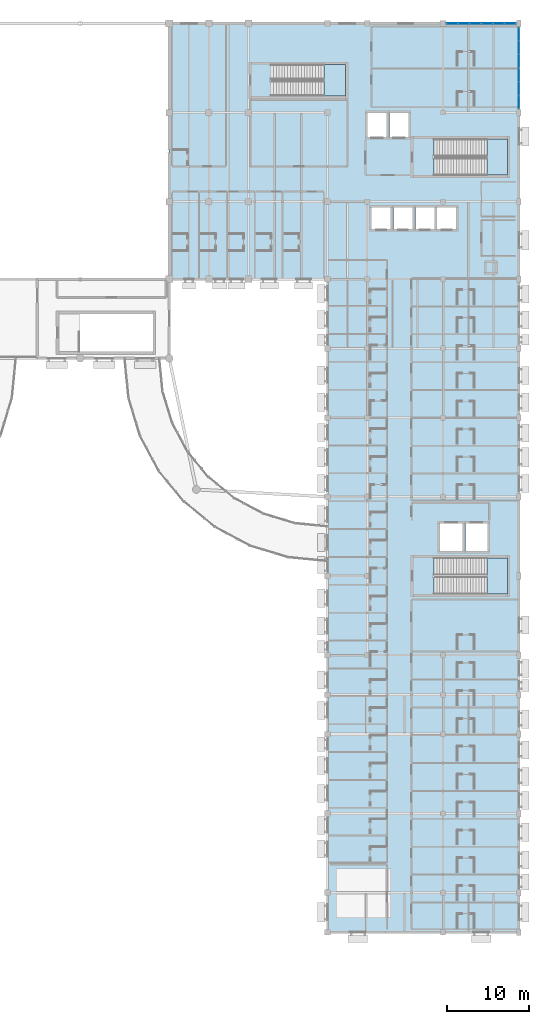
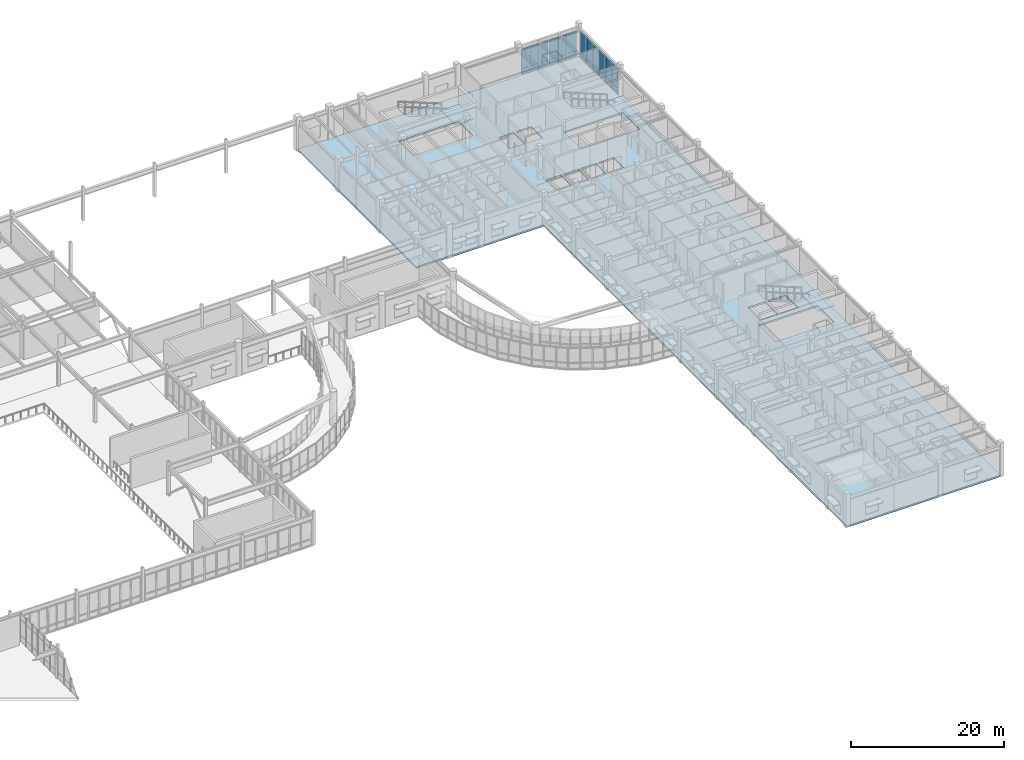
# One storey, part 40 of 68: 24 plates, 4 slabs, 7 elements without a shape of their own.
"""IFC4 building model written with IfcOpenShell, lengths in metres."""

from ifc_helpers import new_model, si_unit, direction, frame, origin, origin_2d, place, context, subcontext, project, spatial, polyline, rectangle, outline, extrude, material, layer, layer_set, type_object, element, aggregate, save


model = new_model("IFC4")

# Units and contexts
model_context = context("Model", 3, precision=1e-05, world=origin(), true_north=direction((0.0, 1.0)))
body_context = subcontext(model_context, "Body", "Model", "MODEL_VIEW")
ifc_project = project(units=[si_unit("LENGTHUNIT", "METRE"), si_unit("AREAUNIT", "SQUARE_METRE"), si_unit("VOLUMEUNIT", "CUBIC_METRE"), si_unit("PLANEANGLEUNIT", "RADIAN"), si_unit("MASSUNIT", "GRAM", prefix="KILO")], contexts=[model_context])

# Site, building, storey
site_placement = place(None, origin())
site = spatial("IfcSite", under=ifc_project, at=site_placement, CompositionType="ELEMENT")
building_placement = place(site_placement, origin())
building = spatial("IfcBuilding", under=site, at=building_placement, Name="Veldera Park Congress Hotel", CompositionType="ELEMENT")
storey_placement = place(building_placement, frame((0.0, 0.0, 10.800048828125)))
storey = spatial("IfcBuildingStorey", under=building, at=storey_placement, Name="L02", CompositionType="ELEMENT", Elevation=10.800048828125)

# Curtain wall, plates
ifc_material_1 = material(Name="Low-E Triple Insulating Glass Unit (SHGC 0.22)", Category="glass")
curtain_wall_type = type_object("IfcCurtainWallType", Name="CW-HTL", PredefinedType="NOTDEFINED", material=ifc_material_1)
curtain_wall_1_placement = place(storey_placement, origin())
curtain_wall_1 = element("IfcCurtainWall", 1, at=curtain_wall_1_placement, inside=storey, type_object=curtain_wall_type, Name="L02 Curtain Wall CW3-HTLNE-L02-092", PredefinedType="NOTDEFINED")
ifc_layer_1 = layer(ifc_material_1, 0.028076171875)
ifc_layer_set_1 = layer_set([ifc_layer_1], Name="Low-E Triple Insulating Glass Unit (SHGC 0.22)")
plate_type = type_object("IfcPlateType", Name="CWP-IGU28", PredefinedType="CURTAIN_PANEL", material=ifc_layer_set_1)
plate_1_placement = place(storey_placement, frame((84.0, 48.479248046875, 0.06005859375), z_axis=(0.0, 0.0, 1.0), x_axis=(0.0, 1.0, 0.0)))
plate_1 = element("IfcPlate", 2, at=plate_1_placement, type_object=plate_type, Name="CW-HTL panel 1.1", PredefinedType="CURTAIN_PANEL", context=body_context, shape_type="SweptSolid", body=[
    extrude(rectangle(XDim=1.558349609375, YDim=0.028076171875, at=origin_2d()), origin(), (0.0, 0.0, 1.0), 0.909912109375),
])
plate_2_placement = place(storey_placement, frame((84.0, 48.479248046875, 1.02978515625), z_axis=(0.0, 0.0, 1.0), x_axis=(0.0, 1.0, 0.0)))
plate_2 = element("IfcPlate", 3, at=plate_2_placement, type_object=plate_type, Name="CW-HTL panel 1.2", PredefinedType="CURTAIN_PANEL", context=body_context, shape_type="SweptSolid", body=[
    extrude(rectangle(XDim=1.558349609375, YDim=0.028076171875, at=origin_2d()), origin(), (0.0, 0.0, 1.0), 3.241943359375),
])
plate_3_placement = place(storey_placement, frame((84.0, 50.112548828125, 0.06005859375), z_axis=(0.0, 0.0, 1.0), x_axis=(0.0, 1.0, 0.0)))
plate_3 = element("IfcPlate", 4, at=plate_3_placement, type_object=plate_type, Name="CW-HTL panel 2.1", PredefinedType="CURTAIN_PANEL", context=body_context, shape_type="SweptSolid", body=[
    extrude(rectangle(XDim=1.58837890625, YDim=0.028076171875, at=origin_2d()), origin(), (0.0, 0.0, 1.0), 0.909912109375),
])
plate_4_placement = place(storey_placement, frame((84.0, 50.112548828125, 1.02978515625), z_axis=(0.0, 0.0, 1.0), x_axis=(0.0, 1.0, 0.0)))
plate_4 = element("IfcPlate", 5, at=plate_4_placement, type_object=plate_type, Name="CW-HTL panel 2.2", PredefinedType="CURTAIN_PANEL", context=body_context, shape_type="SweptSolid", body=[
    extrude(rectangle(XDim=1.58837890625, YDim=0.028076171875, at=origin_2d()), origin(), (0.0, 0.0, 1.0), 3.241943359375),
])
plate_5_placement = place(storey_placement, frame((84.0, 51.745849609375, 0.06005859375), z_axis=(0.0, 0.0, 1.0), x_axis=(0.0, 1.0, 0.0)))
plate_5 = element("IfcPlate", 6, at=plate_5_placement, type_object=plate_type, Name="CW-HTL panel 3.1", PredefinedType="CURTAIN_PANEL", context=body_context, shape_type="SweptSolid", body=[
    extrude(rectangle(XDim=1.558349609375, YDim=0.028076171875, at=origin_2d()), origin(), (0.0, 0.0, 1.0), 0.909912109375),
])
plate_6_placement = place(storey_placement, frame((84.0, 51.745849609375, 1.02978515625), z_axis=(0.0, 0.0, 1.0), x_axis=(0.0, 1.0, 0.0)))
plate_6 = element("IfcPlate", 7, at=plate_6_placement, type_object=plate_type, Name="CW-HTL panel 3.2", PredefinedType="CURTAIN_PANEL", context=body_context, shape_type="SweptSolid", body=[
    extrude(rectangle(XDim=1.558349609375, YDim=0.028076171875, at=origin_2d()), origin(), (0.0, 0.0, 1.0), 3.241943359375),
])
aggregate(curtain_wall_1, [plate_1, plate_2, plate_3, plate_4, plate_5, plate_6])

curtain_wall_2_placement = place(storey_placement, origin())
curtain_wall_2 = element("IfcCurtainWall", 8, at=curtain_wall_2_placement, inside=storey, type_object=curtain_wall_type, Name="L02 Curtain Wall CW3-HTLNE-L02-093", PredefinedType="NOTDEFINED")
plate_7_placement = place(storey_placement, frame((84.0, 53.4541015625, 0.06005859375), z_axis=(0.0, 0.0, 1.0), x_axis=(0.0, 1.0, 0.0)))
plate_7 = element("IfcPlate", 9, at=plate_7_placement, type_object=plate_type, Name="CW-HTL panel 1.1", PredefinedType="CURTAIN_PANEL", context=body_context, shape_type="SweptSolid", body=[
    extrude(rectangle(XDim=1.558349609375, YDim=0.028076171875, at=origin_2d()), origin(), (0.0, 0.0, 1.0), 0.909912109375),
])
plate_8_placement = place(storey_placement, frame((84.0, 53.4541015625, 1.02978515625), z_axis=(0.0, 0.0, 1.0), x_axis=(0.0, 1.0, 0.0)))
plate_8 = element("IfcPlate", 10, at=plate_8_placement, type_object=plate_type, Name="CW-HTL panel 1.2", PredefinedType="CURTAIN_PANEL", context=body_context, shape_type="SweptSolid", body=[
    extrude(rectangle(XDim=1.558349609375, YDim=0.028076171875, at=origin_2d()), origin(), (0.0, 0.0, 1.0), 3.241943359375),
])
plate_9_placement = place(storey_placement, frame((84.0, 55.08740234375, 0.06005859375), z_axis=(0.0, 0.0, 1.0), x_axis=(0.0, 1.0, 0.0)))
plate_9 = element("IfcPlate", 11, at=plate_9_placement, type_object=plate_type, Name="CW-HTL panel 2.1", PredefinedType="CURTAIN_PANEL", context=body_context, shape_type="SweptSolid", body=[
    extrude(rectangle(XDim=1.58837890625, YDim=0.028076171875, at=origin_2d()), origin(), (0.0, 0.0, 1.0), 0.909912109375),
])
plate_10_placement = place(storey_placement, frame((84.0, 55.08740234375, 1.02978515625), z_axis=(0.0, 0.0, 1.0), x_axis=(0.0, 1.0, 0.0)))
plate_10 = element("IfcPlate", 12, at=plate_10_placement, type_object=plate_type, Name="CW-HTL panel 2.2", PredefinedType="CURTAIN_PANEL", context=body_context, shape_type="SweptSolid", body=[
    extrude(rectangle(XDim=1.58837890625, YDim=0.028076171875, at=origin_2d()), origin(), (0.0, 0.0, 1.0), 3.241943359375),
])
plate_11_placement = place(storey_placement, frame((84.0, 56.720947265625, 0.06005859375), z_axis=(0.0, 0.0, 1.0), x_axis=(0.0, 1.0, 0.0)))
plate_11 = element("IfcPlate", 13, at=plate_11_placement, type_object=plate_type, Name="CW-HTL panel 3.1", PredefinedType="CURTAIN_PANEL", context=body_context, shape_type="SweptSolid", body=[
    extrude(rectangle(XDim=1.558349609375, YDim=0.028076171875, at=origin_2d()), origin(), (0.0, 0.0, 1.0), 0.909912109375),
])
plate_12_placement = place(storey_placement, frame((84.0, 56.720947265625, 1.02978515625), z_axis=(0.0, 0.0, 1.0), x_axis=(0.0, 1.0, 0.0)))
plate_12 = element("IfcPlate", 14, at=plate_12_placement, type_object=plate_type, Name="CW-HTL panel 3.2", PredefinedType="CURTAIN_PANEL", context=body_context, shape_type="SweptSolid", body=[
    extrude(rectangle(XDim=1.558349609375, YDim=0.028076171875, at=origin_2d()), origin(), (0.0, 0.0, 1.0), 3.241943359375),
])
aggregate(curtain_wall_2, [plate_7, plate_8, plate_9, plate_10, plate_11, plate_12])

curtain_wall_3_placement = place(storey_placement, origin())
curtain_wall_3 = element("IfcCurtainWall", 15, at=curtain_wall_3_placement, inside=storey, type_object=curtain_wall_type, Name="L02 Curtain Wall CW3-HTLNN-L02-094", PredefinedType="NOTDEFINED")
plate_13_placement = place(storey_placement, frame((82.964599609375, 58.0, 0.06005859375), z_axis=(0.0, 0.0, 1.0), x_axis=(-1.0, 0.0, 0.0)))
plate_13 = element("IfcPlate", 16, at=plate_13_placement, type_object=plate_type, Name="CW-HTL panel 1.1", PredefinedType="CURTAIN_PANEL", context=body_context, shape_type="SweptSolid", body=[
    extrude(rectangle(XDim=1.32080078125, YDim=0.028076171875, at=origin_2d()), origin(), (0.0, 0.0, 1.0), 0.909912109375),
])
plate_14_placement = place(storey_placement, frame((82.964599609375, 58.0, 1.02978515625), z_axis=(0.0, 0.0, 1.0), x_axis=(-1.0, 0.0, 0.0)))
plate_14 = element("IfcPlate", 17, at=plate_14_placement, type_object=plate_type, Name="CW-HTL panel 1.2", PredefinedType="CURTAIN_PANEL", context=body_context, shape_type="SweptSolid", body=[
    extrude(rectangle(XDim=1.32080078125, YDim=0.028076171875, at=origin_2d()), origin(), (0.0, 0.0, 1.0), 3.093017578125),
])
plate_15_placement = place(storey_placement, frame((81.56884765625, 58.0, 0.06005859375), z_axis=(0.0, 0.0, 1.0), x_axis=(-1.0, 0.0, 0.0)))
plate_15 = element("IfcPlate", 18, at=plate_15_placement, type_object=plate_type, Name="CW-HTL panel 2.1", PredefinedType="CURTAIN_PANEL", context=body_context, shape_type="SweptSolid", body=[
    extrude(rectangle(XDim=1.350830078125, YDim=0.028076171875, at=origin_2d()), origin(), (0.0, 0.0, 1.0), 0.909912109375),
])
plate_16_placement = place(storey_placement, frame((81.56884765625, 58.0, 1.02978515625), z_axis=(0.0, 0.0, 1.0), x_axis=(-1.0, 0.0, 0.0)))
plate_16 = element("IfcPlate", 19, at=plate_16_placement, type_object=plate_type, Name="CW-HTL panel 2.2", PredefinedType="CURTAIN_PANEL", context=body_context, shape_type="SweptSolid", body=[
    extrude(rectangle(XDim=1.350830078125, YDim=0.028076171875, at=origin_2d()), origin(), (0.0, 0.0, 1.0), 3.093017578125),
])
plate_17_placement = place(storey_placement, frame((80.1728515625, 58.0, 0.06005859375), z_axis=(0.0, 0.0, 1.0), x_axis=(-1.0, 0.0, 0.0)))
plate_17 = element("IfcPlate", 20, at=plate_17_placement, type_object=plate_type, Name="CW-HTL panel 3.1", PredefinedType="CURTAIN_PANEL", context=body_context, shape_type="SweptSolid", body=[
    extrude(rectangle(XDim=1.32080078125, YDim=0.028076171875, at=origin_2d()), origin(), (0.0, 0.0, 1.0), 0.909912109375),
])
plate_18_placement = place(storey_placement, frame((80.1728515625, 58.0, 1.02978515625), z_axis=(0.0, 0.0, 1.0), x_axis=(-1.0, 0.0, 0.0)))
plate_18 = element("IfcPlate", 21, at=plate_18_placement, type_object=plate_type, Name="CW-HTL panel 3.2", PredefinedType="CURTAIN_PANEL", context=body_context, shape_type="SweptSolid", body=[
    extrude(rectangle(XDim=1.32080078125, YDim=0.028076171875, at=origin_2d()), origin(), (0.0, 0.0, 1.0), 3.093017578125),
])
aggregate(curtain_wall_3, [plate_13, plate_14, plate_15, plate_16, plate_17, plate_18])

curtain_wall_4_placement = place(storey_placement, origin())
curtain_wall_4 = element("IfcCurtainWall", 22, at=curtain_wall_4_placement, inside=storey, type_object=curtain_wall_type, Name="L02 Curtain Wall CW3-HTLNN-L02-095", PredefinedType="NOTDEFINED")
plate_19_placement = place(storey_placement, frame((78.7021484375, 58.0, 0.06005859375), z_axis=(0.0, 0.0, 1.0), x_axis=(-1.0, 0.0, 0.0)))
plate_19 = element("IfcPlate", 23, at=plate_19_placement, type_object=plate_type, Name="CW-HTL panel 1.1", PredefinedType="CURTAIN_PANEL", context=body_context, shape_type="SweptSolid", body=[
    extrude(rectangle(XDim=1.32080078125, YDim=0.028076171875, at=origin_2d()), origin(), (0.0, 0.0, 1.0), 0.909912109375),
])
plate_20_placement = place(storey_placement, frame((78.7021484375, 58.0, 1.02978515625), z_axis=(0.0, 0.0, 1.0), x_axis=(-1.0, 0.0, 0.0)))
plate_20 = element("IfcPlate", 24, at=plate_20_placement, type_object=plate_type, Name="CW-HTL panel 1.2", PredefinedType="CURTAIN_PANEL", context=body_context, shape_type="SweptSolid", body=[
    extrude(rectangle(XDim=1.32080078125, YDim=0.028076171875, at=origin_2d()), origin(), (0.0, 0.0, 1.0), 3.093017578125),
])
plate_21_placement = place(storey_placement, frame((77.30615234375, 58.0, 0.06005859375), z_axis=(0.0, 0.0, 1.0), x_axis=(-1.0, 0.0, 0.0)))
plate_21 = element("IfcPlate", 25, at=plate_21_placement, type_object=plate_type, Name="CW-HTL panel 2.1", PredefinedType="CURTAIN_PANEL", context=body_context, shape_type="SweptSolid", body=[
    extrude(rectangle(XDim=1.350830078125, YDim=0.028076171875, at=origin_2d()), origin(), (0.0, 0.0, 1.0), 0.909912109375),
])
plate_22_placement = place(storey_placement, frame((77.30615234375, 58.0, 1.02978515625), z_axis=(0.0, 0.0, 1.0), x_axis=(-1.0, 0.0, 0.0)))
plate_22 = element("IfcPlate", 26, at=plate_22_placement, type_object=plate_type, Name="CW-HTL panel 2.2", PredefinedType="CURTAIN_PANEL", context=body_context, shape_type="SweptSolid", body=[
    extrude(rectangle(XDim=1.350830078125, YDim=0.028076171875, at=origin_2d()), origin(), (0.0, 0.0, 1.0), 3.093017578125),
])
plate_23_placement = place(storey_placement, frame((75.910400390625, 58.0, 0.06005859375), z_axis=(0.0, 0.0, 1.0), x_axis=(-1.0, 0.0, 0.0)))
plate_23 = element("IfcPlate", 27, at=plate_23_placement, type_object=plate_type, Name="CW-HTL panel 3.1", PredefinedType="CURTAIN_PANEL", context=body_context, shape_type="SweptSolid", body=[
    extrude(rectangle(XDim=1.32080078125, YDim=0.028076171875, at=origin_2d()), origin(), (0.0, 0.0, 1.0), 0.909912109375),
])
plate_24_placement = place(storey_placement, frame((75.910400390625, 58.0, 1.02978515625), z_axis=(0.0, 0.0, 1.0), x_axis=(-1.0, 0.0, 0.0)))
plate_24 = element("IfcPlate", 28, at=plate_24_placement, type_object=plate_type, Name="CW-HTL panel 3.2", PredefinedType="CURTAIN_PANEL", context=body_context, shape_type="SweptSolid", body=[
    extrude(rectangle(XDim=1.32080078125, YDim=0.028076171875, at=origin_2d()), origin(), (0.0, 0.0, 1.0), 3.093017578125),
])
aggregate(curtain_wall_4, [plate_19, plate_20, plate_21, plate_22, plate_23, plate_24])

# Slab
ifc_material_2 = material(Name="Concrete f'c 40 MPa (5,800 psi)", Category="concrete")
ifc_layer_2 = layer(ifc_material_2, 0.27001953125)
ifc_layer_set_2 = layer_set([ifc_layer_2], Name="Concrete f'c 40 MPa (5,800 psi)")
slab_type_1 = type_object("IfcSlabType", Name="SLB-RC270", PredefinedType="FLOOR", material=ifc_layer_set_2)
slab_1_placement = place(storey_placement, frame((0.0, 0.0, -0.27001953125)))
element("IfcSlab", 29, at=slab_1_placement, inside=storey, type_object=slab_type_1, Name="L02 Floor Slab SLB-L02-V4", PredefinedType="FLOOR", context=body_context, shape_type="SweptSolid", body=[
    extrude(outline(polyline([(60.800048828125, -52.199951171875), (84.0, -52.199951171875), (84.0, 58.0), (41.60009765625, 58.0), (41.60009765625, 27.0), (60.800048828125, 27.0), (60.800048828125, -52.199951171875)]), holes=[polyline([(73.715087890625, 39.60009765625), (82.60009765625, 39.60009765625), (82.60009765625, 44.0), (73.715087890625, 44.0), (73.715087890625, 39.60009765625)]), polyline([(73.715087890625, -11.199951171875), (82.60009765625, -11.199951171875), (82.60009765625, -6.800048828125), (73.715087890625, -6.800048828125), (73.715087890625, -11.199951171875)]), polyline([(53.9150390625, 49.199951171875), (63.0, 49.199951171875), (63.0, 53.0), (53.9150390625, 53.0), (53.9150390625, 49.199951171875)]), polyline([(65.64990234375, 44.25), (67.949951171875, 44.25), (67.949951171875, 47.14990234375), (65.64990234375, 47.14990234375), (65.64990234375, 44.25)]), polyline([(68.300048828125, 44.25), (70.60009765625, 44.25), (70.60009765625, 47.14990234375), (68.300048828125, 47.14990234375), (68.300048828125, 44.25)]), polyline([(66.14990234375, 33.10009765625), (68.449951171875, 33.10009765625), (68.449951171875, 35.699951171875), (66.14990234375, 35.699951171875), (66.14990234375, 33.10009765625)]), polyline([(68.800048828125, 33.10009765625), (71.10009765625, 33.10009765625), (71.10009765625, 35.699951171875), (68.800048828125, 35.699951171875), (68.800048828125, 33.10009765625)]), polyline([(71.449951171875, 33.10009765625), (73.75, 33.10009765625), (73.75, 35.699951171875), (71.449951171875, 35.699951171875), (71.449951171875, 33.10009765625)]), polyline([(74.10009765625, 33.10009765625), (76.39990234375, 33.10009765625), (76.39990234375, 35.699951171875), (74.10009765625, 35.699951171875), (74.10009765625, 33.10009765625)]), polyline([(74.449951171875, -5.949951171875), (77.14990234375, -5.949951171875), (77.14990234375, -2.64990234375), (74.449951171875, -2.64990234375), (74.449951171875, -5.949951171875)]), polyline([(77.5, -5.949951171875), (80.199951171875, -5.949951171875), (80.199951171875, -2.64990234375), (77.5, -2.64990234375), (77.5, -5.949951171875)])]), origin(), (0.0, 0.0, 1.0), 0.27001953125),
])

# Stair, slab
stair_type_1 = type_object("IfcStairType", Name="ST1", PredefinedType="HALF_TURN_STAIR", material=ifc_material_2)
stair_1_placement = place(storey_placement, origin())
stair_1 = element("IfcStair", 30, at=stair_1_placement, inside=storey, type_object=stair_type_1, Name="L02 Protected Exit Stair ST1", PredefinedType="HALF_TURN_STAIR")
ifc_layer_3 = layer(ifc_material_2, 0.199951171875)
ifc_layer_set_3 = layer_set([ifc_layer_3], Name="Concrete f'c 40 MPa (5,800 psi)")
slab_type_2 = type_object("IfcSlabType", Name="SLD-ST1", PredefinedType="LANDING", material=ifc_layer_set_3)
slab_2_placement = place(storey_placement, frame((0.0, 0.0, 2.5)))
slab_2 = element("IfcSlab", 31, at=slab_2_placement, type_object=slab_type_2, Name="ST1 landing 1", PredefinedType="LANDING", context=body_context, shape_type="SweptSolid", body=[
    extrude(outline(polyline([(80.14501953125, 39.60009765625), (82.60009765625, 39.60009765625), (82.60009765625, 44.0), (80.14501953125, 44.0), (80.14501953125, 39.60009765625)])), origin(), (0.0, 0.0, 1.0), 0.199951171875),
])
aggregate(stair_1, [slab_2])

stair_type_2 = type_object("IfcStairType", Name="ST2", PredefinedType="HALF_TURN_STAIR", material=ifc_material_2)
stair_2_placement = place(storey_placement, origin())
stair_2 = element("IfcStair", 32, at=stair_2_placement, inside=storey, type_object=stair_type_2, Name="L02 Protected Exit Stair ST2", PredefinedType="HALF_TURN_STAIR")
ifc_layer_4 = layer(ifc_material_2, 0.199951171875)
ifc_layer_set_4 = layer_set([ifc_layer_4], Name="Concrete f'c 40 MPa (5,800 psi)")
slab_type_3 = type_object("IfcSlabType", Name="SLD-ST2", PredefinedType="LANDING", material=ifc_layer_set_4)
slab_3_placement = place(storey_placement, frame((0.0, 0.0, 2.5)))
slab_3 = element("IfcSlab", 33, at=slab_3_placement, type_object=slab_type_3, Name="ST2 landing 1", PredefinedType="LANDING", context=body_context, shape_type="SweptSolid", body=[
    extrude(outline(polyline([(80.14501953125, -11.199951171875), (82.60009765625, -11.199951171875), (82.60009765625, -6.800048828125), (80.14501953125, -6.800048828125), (80.14501953125, -11.199951171875)])), origin(), (0.0, 0.0, 1.0), 0.199951171875),
])
aggregate(stair_2, [slab_3])

stair_type_3 = type_object("IfcStairType", Name="ST3", PredefinedType="HALF_TURN_STAIR", material=ifc_material_2)
stair_3_placement = place(storey_placement, origin())
stair_3 = element("IfcStair", 34, at=stair_3_placement, inside=storey, type_object=stair_type_3, Name="L02 Protected Exit Stair ST3", PredefinedType="HALF_TURN_STAIR")
ifc_layer_5 = layer(ifc_material_2, 0.199951171875)
ifc_layer_set_5 = layer_set([ifc_layer_5], Name="Concrete f'c 40 MPa (5,800 psi)")
slab_type_4 = type_object("IfcSlabType", Name="SLD-ST3", PredefinedType="LANDING", material=ifc_layer_set_5)
slab_4_placement = place(storey_placement, frame((0.0, 0.0, 2.5)))
slab_4 = element("IfcSlab", 35, at=slab_4_placement, type_object=slab_type_4, Name="ST3 landing 1", PredefinedType="LANDING", context=body_context, shape_type="SweptSolid", body=[
    extrude(outline(polyline([(60.344970703125, 49.199951171875), (63.0, 49.199951171875), (63.0, 53.0), (60.344970703125, 53.0), (60.344970703125, 49.199951171875)])), origin(), (0.0, 0.0, 1.0), 0.199951171875),
])
aggregate(stair_3, [slab_4])

save(model, "model.ifc")
